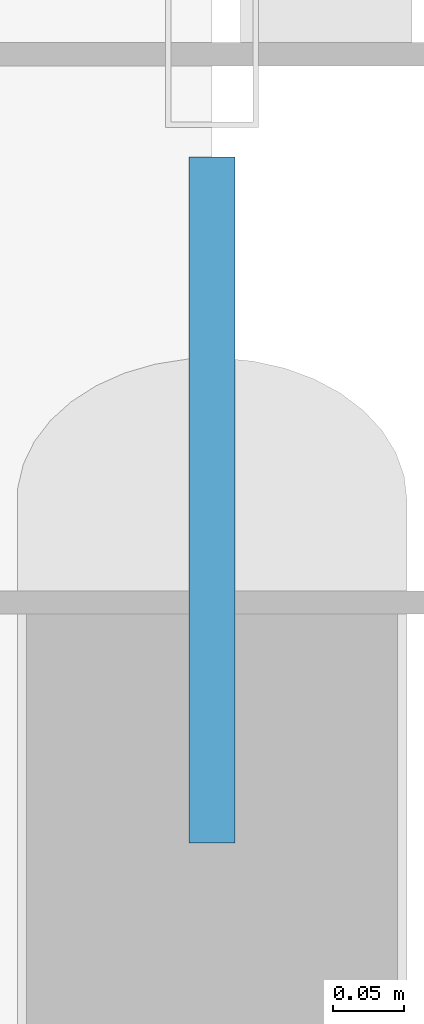
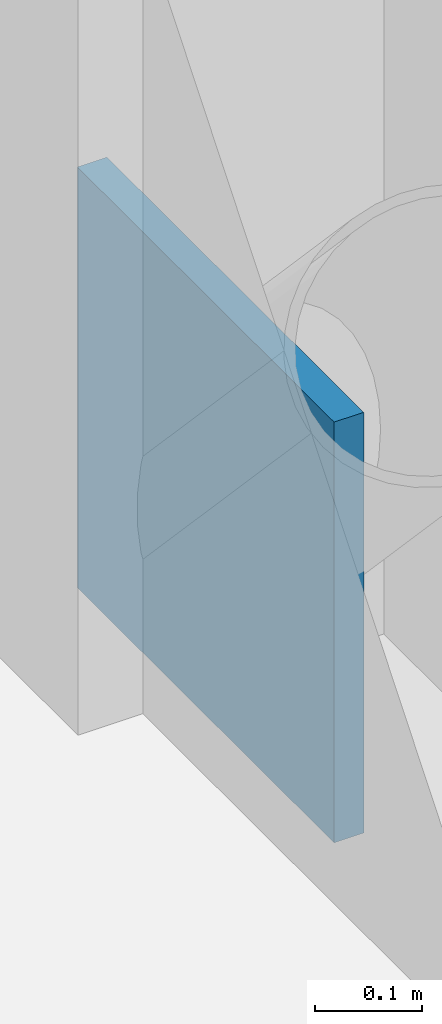
# One storey, part 108 of 151: 1 plate.
"""IFC4 building model written with IfcOpenShell, lengths in metres."""

import ifcopenshell
import ifcopenshell.guid

model = None  # the IFC model being written
_history = None  # IfcOwnerHistory: only IFC2X3 demands one
_inside = {}  # id of a spatial element -> (the spatial element, [elements in it])
_under = {}  # id of a project, library or spatial element -> (it, [spatial elements below it])
_declared = {}  # id of a project -> (the project, [libraries it declares])
_typed = {}  # id of a type object -> (the type object, [elements of that type])
_made_of = {}  # id of a material, layer set ... -> (it, [elements and type objects made of it])


def new_model(schema):
    """Start an empty IFC model of exactly this schema.

    Asked for "IFC4X3", IfcOpenShell would pick the latest addendum, in which some entities
    have other attributes; the version numbers below select the first issue.
    IFC2X3 requires an IfcOwnerHistory on every rooted entity: one is made here for all.
    """
    global model, _history
    if schema == "IFC4X3":
        model = ifcopenshell.file(schema_version=(4, 3, 0, 0))
    else:
        model = ifcopenshell.file(schema=schema)
    _inside.clear()
    _under.clear()
    _declared.clear()
    _typed.clear()
    _made_of.clear()
    _history = None
    if model.schema == "IFC2X3":
        org = make("IfcOrganization", Name="unknown")
        user = make(
            "IfcPersonAndOrganization",
            ThePerson=make("IfcPerson", FamilyName="unknown"),
            TheOrganization=org,
        )
        app = make(
            "IfcApplication",
            ApplicationDeveloper=org,
            Version="unknown",
            ApplicationFullName="unknown",
            ApplicationIdentifier="unknown",
        )
        _history = make(
            "IfcOwnerHistory",
            OwningUser=user,
            OwningApplication=app,
            ChangeAction="ADDED",
            CreationDate=0,
        )
    return model


def make(cls, **values):
    """One entity of the class cls with the attributes given. An attribute that is None is left unset."""
    return model.create_entity(
        cls, **{name: value for name, value in values.items() if value is not None}
    )


def rooted(cls, **values):
    """An entity with a GlobalId (a new one), such as an element, a storey or a relation."""
    return make(cls, GlobalId=ifcopenshell.guid.new(), OwnerHistory=_history, **values)


def si_unit(unit_type, name, prefix=None):
    """IfcSIUnit, for example si_unit("LENGTHUNIT", "METRE", prefix="MILLI")."""
    return make("IfcSIUnit", UnitType=unit_type, Prefix=prefix, Name=name)


def assignment(units):
    """IfcUnitAssignment: the units of a project."""
    return None if units is None else make("IfcUnitAssignment", Units=units)


def point(xyz):
    """IfcCartesianPoint."""
    return None if xyz is None else make("IfcCartesianPoint", Coordinates=xyz)


def direction(xyz):
    """IfcDirection."""
    return None if xyz is None else make("IfcDirection", DirectionRatios=xyz)


def frame(location, z_axis=None, x_axis=None):
    """IfcAxis2Placement3D, a coordinate frame: its origin and axes. An axis left out is left unset."""
    return make(
        "IfcAxis2Placement3D",
        Location=point(location),
        Axis=direction(z_axis),
        RefDirection=direction(x_axis),
    )


def frame_2d(location, x_axis=None):
    """IfcAxis2Placement2D, a coordinate frame in the plane: its origin and x axis."""
    return make(
        "IfcAxis2Placement2D", Location=point(location), RefDirection=direction(x_axis)
    )


def origin():
    """The frame at (0, 0, 0) with its axes left unset."""
    return frame((0.0, 0.0, 0.0))


def origin_2d():
    """The frame at (0, 0) in the plane with its x axis left unset."""
    return frame_2d((0.0, 0.0))


def place(relative_to, where):
    """IfcLocalPlacement: puts the frame where relative to a parent placement (None: the world)."""
    return make(
        "IfcLocalPlacement", PlacementRelTo=relative_to, RelativePlacement=where
    )


def context(
    kind, dimensions, precision=None, world=None, true_north=None, identifier=None
):
    """IfcGeometricRepresentationContext, for example the 3D "Model" context."""
    return make(
        "IfcGeometricRepresentationContext",
        ContextIdentifier=identifier,
        ContextType=kind,
        CoordinateSpaceDimension=dimensions,
        Precision=precision,
        WorldCoordinateSystem=world,
        TrueNorth=true_north,
    )


def subcontext(parent, identifier, kind, view, scale=None):
    """IfcGeometricRepresentationSubContext, for example "Body" below "Model"."""
    return make(
        "IfcGeometricRepresentationSubContext",
        ContextIdentifier=identifier,
        ContextType=kind,
        ParentContext=parent,
        TargetScale=scale,
        TargetView=view,
    )


def project(units=None, contexts=None):
    """IfcProject with its units and contexts."""
    return rooted(
        "IfcProject",
        Name="project",
        RepresentationContexts=contexts,
        UnitsInContext=assignment(units),
    )


def spatial(cls, under=None, at=None, **own):
    """A site, building, storey or space (cls), placed at a placement, below another one or the project."""
    s = rooted(cls, ObjectPlacement=at, **own)
    if under is not None:
        _under.setdefault(under.id(), (under, []))[1].append(s)
    return s


def profile(cls, at=None, kind="AREA", **sizes):
    """A parametric profile (cls). Its sizes go by their IFC names, for example OverallWidth=200.0."""
    return make(cls, ProfileType=kind, Position=at, **sizes)


def rectangle(**sizes):
    """IfcRectangleProfileDef."""
    return profile("IfcRectangleProfileDef", **sizes)


def extrude(swept, where, along, depth):
    """IfcExtrudedAreaSolid: the profile swept, set in the frame where, extruded along a direction by depth."""
    return make(
        "IfcExtrudedAreaSolid",
        SweptArea=swept,
        Position=where,
        ExtrudedDirection=direction(along),
        Depth=depth,
    )


def shape(context_of_items, identifier, shape_type, items):
    """IfcShapeRepresentation: the items that make up one representation, for example the "Body"."""
    return make(
        "IfcShapeRepresentation",
        ContextOfItems=context_of_items,
        RepresentationIdentifier=identifier,
        RepresentationType=shape_type,
        Items=items,
    )


def material(Name=None, Category=None):
    """IfcMaterial."""
    return make("IfcMaterial", Name=Name, Category=Category)


def layer(
    of_material, thickness, ventilated=None, Name=None, Category=None, Priority=None
):
    """IfcMaterialLayer: one layer of a wall or slab, of a material (None: an air gap)."""
    return make(
        "IfcMaterialLayer",
        Material=of_material,
        LayerThickness=thickness,
        IsVentilated=ventilated,
        Name=Name,
        Category=Category,
        Priority=Priority,
    )


def layer_set(layers, Name=None):
    """IfcMaterialLayerSet."""
    return make("IfcMaterialLayerSet", MaterialLayers=layers, LayerSetName=Name)


def made_of(thing, what):
    """Note that an element or type object is made of a material, layer set ...; save() writes the relation."""
    if what is not None:
        _made_of.setdefault(what.id(), (what, []))[1].append(thing)
    return thing


def type_object(cls, material=None, **own):
    """A type object (cls), such as IfcWallType, which elements share."""
    return made_of(rooted(cls, **own), material)


def element(
    cls,
    number,
    at=None,
    inside=None,
    cuts=None,
    type_object=None,
    material=None,
    context=None,
    identifier="Body",
    shape_type=None,
    held_by="IfcProductDefinitionShape",
    body=None,
    shapes=None,
    **own,
):
    """One element of the class cls, such as IfcWall. Its Tag is "e" and its number.

    at: its placement. inside: the storey or other place that contains it. cuts: it is an
    opening in that element (IfcRelVoidsElement). A single representation is given by context,
    identifier, shape_type and body (its items); several are given by shapes. held_by: the class
    of the entity that holds the representations. save() writes the other relations.
    """
    e = rooted(cls, Tag="e%d" % number, ObjectPlacement=at, **own)
    if body is not None:
        shapes = [shape(context, identifier, shape_type, body)]
    if shapes is not None:
        e.Representation = make(held_by, Representations=shapes)
    if inside is not None:
        _inside.setdefault(inside.id(), (inside, []))[1].append(e)
    if cuts is not None:
        rooted(
            "IfcRelVoidsElement", RelatingBuildingElement=cuts, RelatedOpeningElement=e
        )
    if type_object is not None:
        _typed.setdefault(type_object.id(), (type_object, []))[1].append(e)
    return made_of(e, material)


def aggregate(whole, parts):
    """IfcRelAggregates: a whole, such as a stair, and the parts it consists of."""
    return rooted("IfcRelAggregates", RelatingObject=whole, RelatedObjects=parts)


def save(model, path):
    """Write the relations noted so far, then the file.

    IfcRelAggregates (storeys below a building ...), IfcRelContainedInSpatialStructure (elements
    in a storey), IfcRelDefinesByType, IfcRelAssociatesMaterial and IfcRelDeclares: one each for
    every whole, place, type object, material and project.
    """
    for whole, parts in _under.values():
        aggregate(whole, parts)
    for where, things in _inside.values():
        rooted(
            "IfcRelContainedInSpatialStructure",
            RelatedElements=things,
            RelatingStructure=where,
        )
    for kind, things in _typed.values():
        rooted("IfcRelDefinesByType", RelatedObjects=things, RelatingType=kind)
    for what, things in _made_of.values():
        rooted("IfcRelAssociatesMaterial", RelatedObjects=things, RelatingMaterial=what)
    for by, libraries in _declared.values():
        rooted("IfcRelDeclares", RelatingContext=by, RelatedDefinitions=libraries)
    model.write(path)


model = new_model("IFC4")

# Units and contexts
model_context = context("Model", 3, precision=1e-05, world=origin(), true_north=direction((0.0, 1.0)))
body_context = subcontext(model_context, "Body", "Model", "MODEL_VIEW")
ifc_project = project(units=[si_unit("LENGTHUNIT", "METRE"), si_unit("AREAUNIT", "SQUARE_METRE"), si_unit("VOLUMEUNIT", "CUBIC_METRE"), si_unit("PLANEANGLEUNIT", "RADIAN"), si_unit("MASSUNIT", "GRAM", prefix="KILO")], contexts=[model_context])

# Site, building, storey
site_placement = place(None, origin())
site = spatial("IfcSite", under=ifc_project, at=site_placement, CompositionType="ELEMENT")
building_placement = place(site_placement, origin())
building = spatial("IfcBuilding", under=site, at=building_placement, Name="Celestram Park Convention Centre", CompositionType="ELEMENT")
storey_placement = place(building_placement, frame((0.0, 0.0, 10.800048828125)))
storey = spatial("IfcBuildingStorey", under=building, at=storey_placement, Name="L02", CompositionType="ELEMENT", Elevation=10.800048828125)

# Plate
ifc_material = material(Name="Steel ASTM A572 Grade 50", Category="steel")
ifc_layer = layer(ifc_material, 0.031982421875)
ifc_layer_set = layer_set([ifc_layer], Name="Steel ASTM A572 Grade 50")
plate_type = type_object("IfcPlateType", Name="STR-PLT-GP32", PredefinedType="USERDEFINED", material=ifc_layer_set)
plate_placement = place(storey_placement, frame((216.0, 129.47998046875, -0.090087890625), z_axis=(0.0, 0.0, 1.0), x_axis=(0.0, 1.0, 0.0)))
element("IfcPlate", 1, at=plate_placement, inside=storey, type_object=plate_type, Name="Chevron brace base gusset GP-L02-528", ObjectType="GUSSET_PLATE", PredefinedType="USERDEFINED", context=body_context, shape_type="SweptSolid", body=[
    extrude(rectangle(XDim=0.47998046875, YDim=0.031982421875, at=origin_2d()), origin(), (0.0, 0.0, 1.0), 0.47998046875),
])

save(model, "model.ifc")
